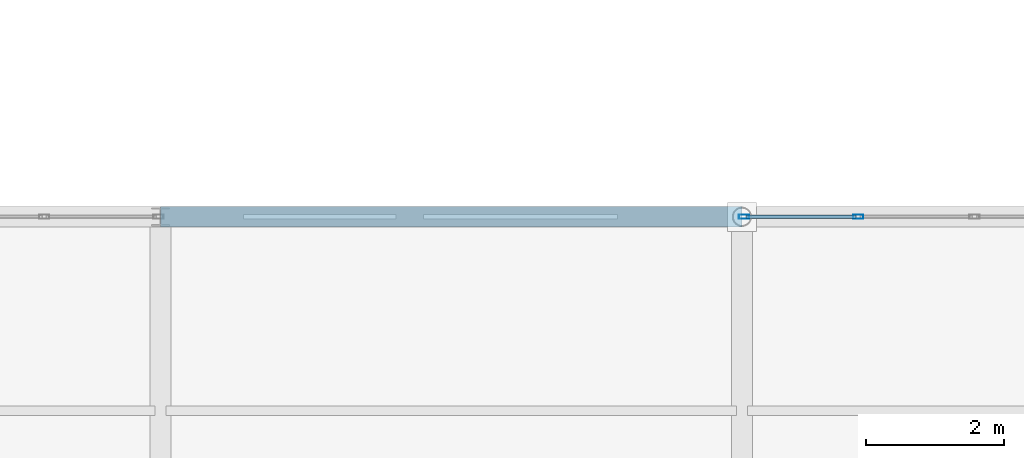
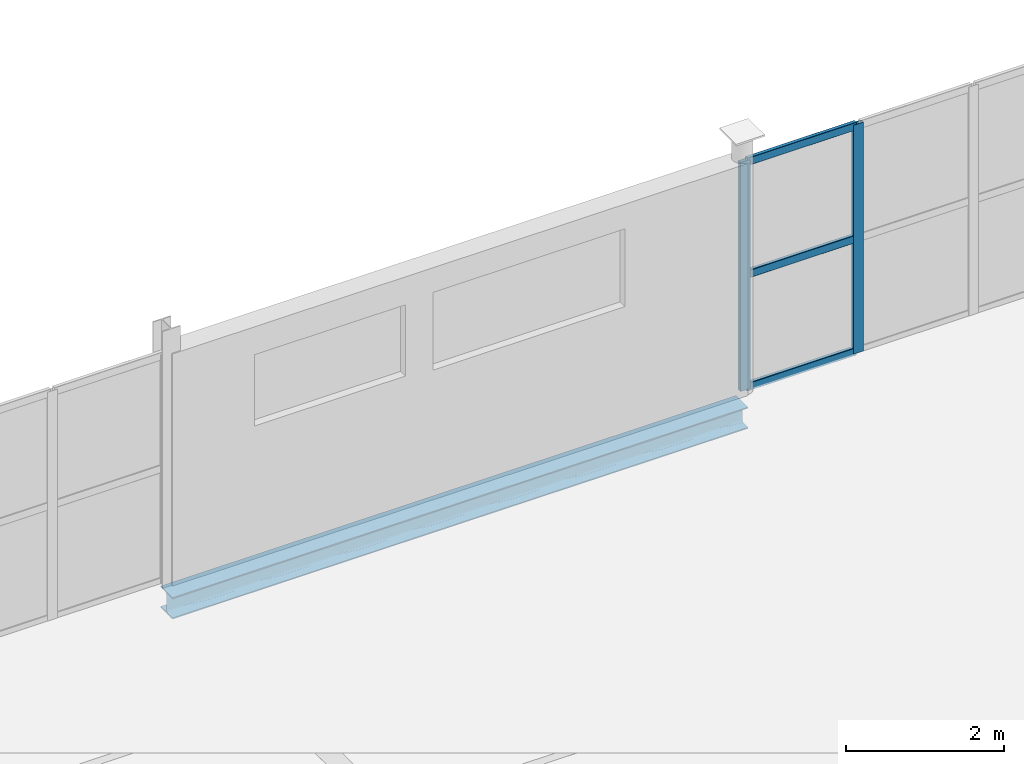
# One storey, part 74 of 163: 5 members, 1 beam, 1 element without a shape of its own.
"""IFC4 building model written with IfcOpenShell, lengths in metres."""

from ifc_helpers import new_model, si_unit, direction, frame, origin, origin_2d, place, context, subcontext, project, spatial, hollow_rectangle, i_section, extrude, material, layer, layer_set, material_profile, profile_set, type_object, element, aggregate, save


model = new_model("IFC4")

# Units and contexts
model_context = context("Model", 3, precision=1e-05, world=origin(), true_north=direction((0.0, 1.0)))
body_context = subcontext(model_context, "Body", "Model", "MODEL_VIEW")
ifc_project = project(units=[si_unit("LENGTHUNIT", "METRE"), si_unit("AREAUNIT", "SQUARE_METRE"), si_unit("VOLUMEUNIT", "CUBIC_METRE"), si_unit("PLANEANGLEUNIT", "RADIAN"), si_unit("MASSUNIT", "GRAM", prefix="KILO")], contexts=[model_context])

# Site, building, storey
site_placement = place(None, origin())
site = spatial("IfcSite", under=ifc_project, at=site_placement, CompositionType="ELEMENT")
building_placement = place(site_placement, origin())
building = spatial("IfcBuilding", under=site, at=building_placement, Name="Qalvenar Corner Mobility Hub", CompositionType="ELEMENT")
storey_placement = place(building_placement, frame((0.0, 0.0, 4.800048828125)))
storey = spatial("IfcBuildingStorey", under=building, at=storey_placement, Name="L01", CompositionType="ELEMENT", Elevation=4.800048828125)

# Beam
ifc_material_1 = material(Name="Steel S355", Category="steel")
ifc_material_profile_1 = material_profile(ifc_material_1, i_section(OverallWidth=0.300048828125, OverallDepth=0.330078125, WebThickness=0.009521484375, FlangeThickness=0.0166015625, FilletRadius=0.027099609375, at=origin_2d()), Name="HEA340")
ifc_profile_set_1 = profile_set([ifc_material_profile_1], Name="Steel S355")
beam_type = type_object("IfcBeamType", Name="BM-SPN340", PredefinedType="SPANDREL", material=ifc_profile_set_1)
beam_placement = place(storey_placement, frame((117.60009765625, 50.39990234375, -0.344970703125), z_axis=(1.0, 0.0, 0.0), x_axis=(0.0, 1.0, 0.0)))
element("IfcBeam", 1, at=beam_placement, inside=storey, type_object=beam_type, Name="Primary Steel Girder GX-1021", PredefinedType="SPANDREL", context=body_context, shape_type="SweptSolid", body=[
    extrude(i_section(OverallWidth=0.300048828125, OverallDepth=0.330078125, WebThickness=0.009521484375, FlangeThickness=0.0166015625, FilletRadius=0.027099609375, at=origin_2d()), origin(), (0.0, 0.0, 1.0), 8.39990234375),
])

# Curtain wall, members
ifc_material_2 = material(Name="Anodised Aluminium and Low-E Glazing", Category="aluminium")
ifc_layer = layer(ifc_material_2, 0.14990234375)
ifc_layer_set = layer_set([ifc_layer], Name="Anodised Aluminium and Low-E Glazing")
curtain_wall_type = type_object("IfcCurtainWallType", Name="CW-WKS-84X44", PredefinedType="NOTDEFINED", material=ifc_layer_set)
curtain_wall_placement = place(storey_placement, origin())
curtain_wall = element("IfcCurtainWall", 2, at=curtain_wall_placement, inside=storey, type_object=curtain_wall_type, Name="Glazed Curtain Wall CW-V6-L01-N2", PredefinedType="NOTDEFINED")
ifc_material_3 = material(Name="Anodised Aluminium 6063-T6", Category="aluminium")
ifc_material_profile_2 = material_profile(ifc_material_3, hollow_rectangle(XDim=0.06005859375, YDim=0.14990234375, WallThickness=0.00390625, InnerFilletRadius=0.00390625, OuterFilletRadius=0.008056640625, at=origin_2d()), Name="RHS150x60x4")
ifc_profile_set_2 = profile_set([ifc_material_profile_2], Name="Anodised Aluminium 6063-T6")
member_type_1 = type_object("IfcMemberType", Name="CW-MUL150", PredefinedType="MULLION", material=ifc_profile_set_2)
member_1_placement = place(storey_placement, frame((127.679931640625, 50.39990234375, 0.0), z_axis=(0.0, 0.0, 1.0), x_axis=(0.0, -1.0, 0.0)))
member_1 = element("IfcMember", 3, at=member_1_placement, type_object=member_type_1, Name="CW-09 mullion 5", PredefinedType="MULLION", context=body_context, shape_type="SweptSolid", body=[
    extrude(hollow_rectangle(XDim=0.06005859375, YDim=0.14990234375, WallThickness=0.00390625, InnerFilletRadius=0.00390625, OuterFilletRadius=0.008056640625, at=origin_2d()), origin(), (0.0, 0.0, 1.0), 3.530029296875),
])
member_2_placement = place(storey_placement, frame((126.030029296875, 50.39990234375, 0.0), z_axis=(0.0, 0.0, 1.0), x_axis=(0.0, -1.0, 0.0)))
member_2 = element("IfcMember", 4, at=member_2_placement, type_object=member_type_1, Name="CW-09 mullion 6", PredefinedType="MULLION", context=body_context, shape_type="SweptSolid", body=[
    extrude(hollow_rectangle(XDim=0.06005859375, YDim=0.14990234375, WallThickness=0.00390625, InnerFilletRadius=0.00390625, OuterFilletRadius=0.008056640625, at=origin_2d()), origin(), (0.0, 0.0, 1.0), 3.530029296875),
])
ifc_material_profile_3 = material_profile(ifc_material_3, hollow_rectangle(XDim=0.054931640625, YDim=0.1201171875, WallThickness=0.00341796875, InnerFilletRadius=0.00341796875, OuterFilletRadius=0.007080078125, at=origin_2d()), Name="RHS120x55x3.5")
ifc_profile_set_3 = profile_set([ifc_material_profile_3], Name="Anodised Aluminium 6063-T6")
member_type_2 = type_object("IfcMemberType", Name="CW-TRN120", PredefinedType="USERDEFINED", material=ifc_profile_set_3)
member_3_placement = place(storey_placement, frame((127.64990234375, 50.39990234375, 0.02734375), z_axis=(-1.0, 0.0, 0.0), x_axis=(0.0, -1.0, 0.0)))
member_3 = element("IfcMember", 5, at=member_3_placement, type_object=member_type_2, Name="CW-09 transom 5.1", ObjectType="TRANSOM", PredefinedType="USERDEFINED", context=body_context, shape_type="SweptSolid", body=[
    extrude(hollow_rectangle(XDim=0.054931640625, YDim=0.1201171875, WallThickness=0.00341796875, InnerFilletRadius=0.00341796875, OuterFilletRadius=0.007080078125, at=origin_2d()), origin(), (0.0, 0.0, 1.0), 1.58984375),
])
member_4_placement = place(storey_placement, frame((127.64990234375, 50.39990234375, 1.764892578125), z_axis=(-1.0, 0.0, 0.0), x_axis=(0.0, -1.0, 0.0)))
member_4 = element("IfcMember", 6, at=member_4_placement, type_object=member_type_2, Name="CW-09 transom 5.2", ObjectType="TRANSOM", PredefinedType="USERDEFINED", context=body_context, shape_type="SweptSolid", body=[
    extrude(hollow_rectangle(XDim=0.054931640625, YDim=0.1201171875, WallThickness=0.00341796875, InnerFilletRadius=0.00341796875, OuterFilletRadius=0.007080078125, at=origin_2d()), origin(), (0.0, 0.0, 1.0), 1.58984375),
])
member_5_placement = place(storey_placement, frame((127.64990234375, 50.39990234375, 3.50244140625), z_axis=(-1.0, 0.0, 0.0), x_axis=(0.0, -1.0, 0.0)))
member_5 = element("IfcMember", 7, at=member_5_placement, type_object=member_type_2, Name="CW-09 transom 5.3", ObjectType="TRANSOM", PredefinedType="USERDEFINED", context=body_context, shape_type="SweptSolid", body=[
    extrude(hollow_rectangle(XDim=0.054931640625, YDim=0.1201171875, WallThickness=0.00341796875, InnerFilletRadius=0.00341796875, OuterFilletRadius=0.007080078125, at=origin_2d()), origin(), (0.0, 0.0, 1.0), 1.58984375),
])
aggregate(curtain_wall, [member_1, member_2, member_3, member_4, member_5])

save(model, "model.ifc")
